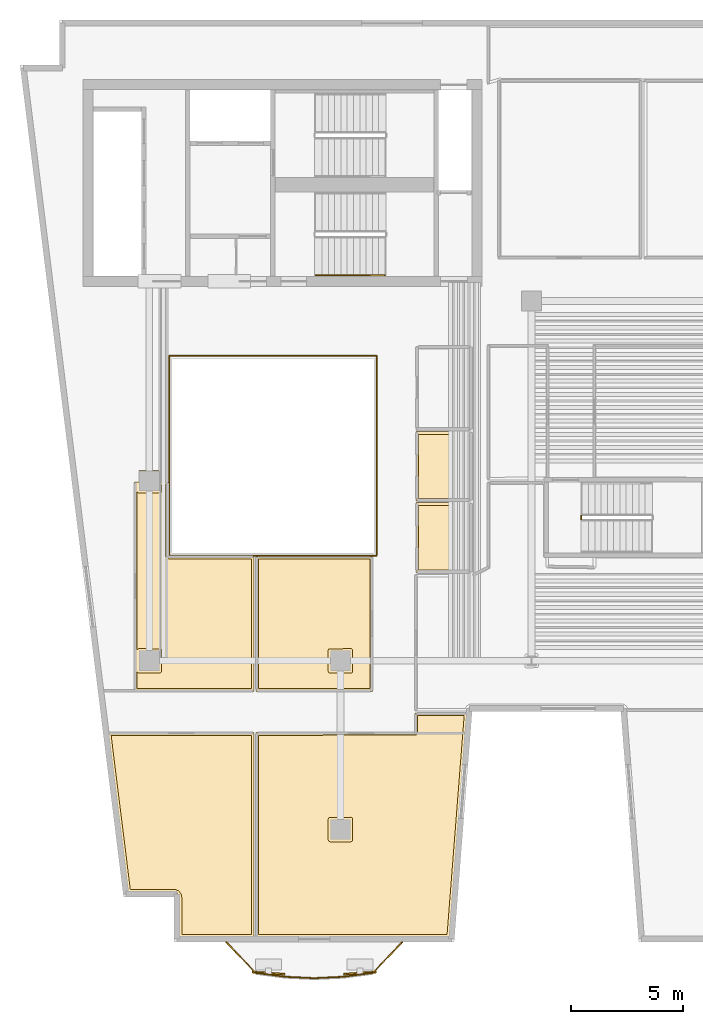
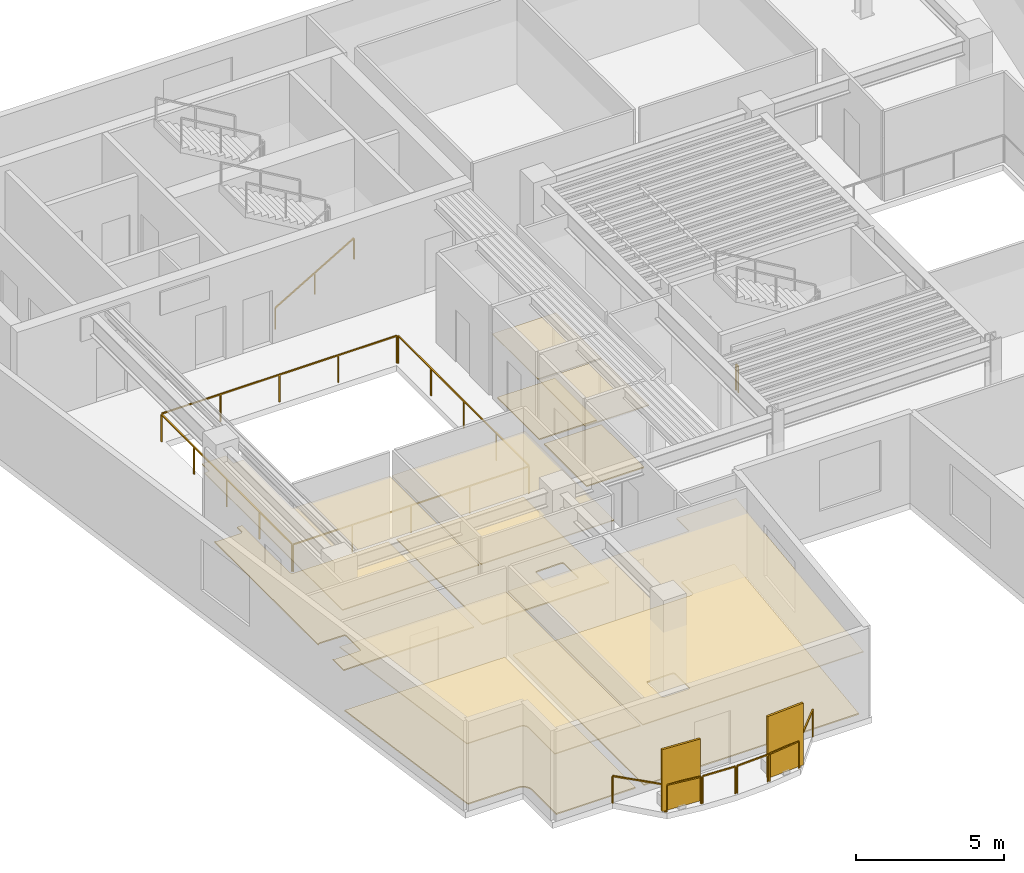
# One storey, part 7 of 9: 12 coverings, 12 railings, 2 shading devices.
"""IFC4 building model written with IfcOpenShell, lengths in metres."""

from ifc_helpers import new_model, si_unit, direction, frame, origin, origin_2d, place, context, subcontext, project, spatial, polyline, rectangle, outline, extrude, material, layer, layer_set, type_object, element, save


model = new_model("IFC4")

# Units and contexts
model_context = context("Model", 3, precision=1e-05, world=origin(), true_north=direction((0.0, 1.0)))
body_context = subcontext(model_context, "Body", "Model", "MODEL_VIEW")
ifc_project = project(units=[si_unit("LENGTHUNIT", "METRE"), si_unit("AREAUNIT", "SQUARE_METRE"), si_unit("VOLUMEUNIT", "CUBIC_METRE"), si_unit("PLANEANGLEUNIT", "RADIAN"), si_unit("MASSUNIT", "GRAM", prefix="KILO")], contexts=[model_context])

# Site, building, storey
site_placement = place(None, origin())
site = spatial("IfcSite", under=ifc_project, at=site_placement, CompositionType="ELEMENT")
building_placement = place(site_placement, origin())
building = spatial("IfcBuilding", under=site, at=building_placement, Name="Caeloran Harvest Quay", CompositionType="ELEMENT")
storey_placement = place(building_placement, frame((0.0, 0.0, 203.5)))
storey = spatial("IfcBuildingStorey", under=building, at=storey_placement, Name="L48", CompositionType="ELEMENT", Elevation=203.5)

# Coverings
ifc_material_1 = material(Name="Perforated Mineral-Fibre Acoustic Ceiling Tile", Category="ceiling")
ifc_layer_1 = layer(ifc_material_1, 0.0400390625, Name="Perforated Mineral-Fibre Acoustic Ceiling Tile")
ifc_layer_set_1 = layer_set([ifc_layer_1], Name="Perforated Mineral-Fibre Acoustic Ceiling Tile")
covering_type_1 = type_object("IfcCoveringType", Name="COV-CEILING-ACOUSTIC", PredefinedType="CEILING", material=ifc_layer_set_1)
covering_1_placement = place(storey_placement, frame((0.0, 0.0, 2.60009765625)))
element("IfcCovering", 1, at=covering_1_placement, inside=storey, type_object=covering_type_1, Name="L48 Female Washroom WC Acoustic Ceiling", PredefinedType="CEILING", context=body_context, shape_type="SweptSolid", body=[
    extrude(outline(polyline([(22.840087890625, 25.18994140625), (22.840087890625, 22.110107421875), (20.360107421875, 22.110107421875), (20.360107421875, 25.18994140625), (22.840087890625, 25.18994140625)])), origin(), (0.0, 0.0, 1.0), 0.039794921875),
])
covering_2_placement = place(storey_placement, frame((0.0, 0.0, 2.60009765625)))
element("IfcCovering", 2, at=covering_2_placement, inside=storey, type_object=covering_type_1, Name="L48 Accessible Unisex Washroom WC Acoustic Ceiling", PredefinedType="CEILING", context=body_context, shape_type="SweptSolid", body=[
    extrude(outline(polyline([(22.840087890625, 22.0400390625), (22.840087890625, 18.919921875), (20.360107421875, 18.919921875), (20.360107421875, 22.0400390625), (22.840087890625, 22.0400390625)])), origin(), (0.0, 0.0, 1.0), 0.039794921875),
])
covering_3_placement = place(storey_placement, frame((0.0, 0.0, 2.60009765625)))
element("IfcCovering", 3, at=covering_3_placement, inside=storey, type_object=covering_type_1, Name="Green-Bond Investment Office Acoustic Ceiling", PredefinedType="CEILING", context=body_context, shape_type="SweptSolid", body=[
    extrude(outline(polyline([(20.31005859375, 12.679931640625), (22.630859375, 12.679931640625), (21.853515625, 2.719970703125), (13.239990234375, 2.719970703125), (13.239990234375, 11.81005859375), (20.31005859375, 11.81005859375), (20.31005859375, 12.679931640625)])), origin(), (0.0, 0.0, 1.0), 0.039794921875),
])
covering_4_placement = place(storey_placement, frame((0.0, 0.0, 2.60009765625)))
element("IfcCovering", 4, at=covering_4_placement, inside=storey, type_object=covering_type_1, Name="ESG Carbon Desk Workspace Acoustic Ceiling", PredefinedType="CEILING", context=body_context, shape_type="SweptSolid", body=[
    extrude(outline(polyline([(9.80615234375, 4.584228515625), (9.742431640625, 4.669921875), (9.62451171875, 4.718994140625), (7.54833984375, 4.719970703125), (6.666015625, 11.81005859375), (13.159912109375, 11.81005859375), (13.159912109375, 2.719970703125), (9.822998046875, 2.719970703125), (9.822998046875, 4.4990234375), (9.80615234375, 4.584228515625)])), origin(), (0.0, 0.0, 1.0), 0.039794921875),
])
covering_5_placement = place(storey_placement, frame((0.0, 0.0, 2.60009765625)))
element("IfcCovering", 5, at=covering_5_placement, inside=storey, type_object=covering_type_1, Name="Executive Partner Office Acoustic Ceiling", PredefinedType="CEILING", context=body_context, shape_type="SweptSolid", body=[
    extrude(outline(polyline([(18.429931640625, 13.639892578125), (13.239990234375, 13.639892578125), (13.239990234375, 19.659912109375), (18.429931640625, 19.659912109375), (18.429931640625, 13.639892578125)])), origin(), (0.0, 0.0, 1.0), 0.039794921875),
])
covering_6_placement = place(storey_placement, frame((0.0, 0.0, 2.60009765625)))
element("IfcCovering", 6, at=covering_6_placement, inside=storey, type_object=covering_type_1, Name="Client Pitch Conference Room Acoustic Ceiling", PredefinedType="CEILING", context=body_context, shape_type="SweptSolid", body=[
    extrude(outline(polyline([(13.159912109375, 13.639892578125), (7.840087890625, 13.639892578125), (7.840087890625, 22.9599609375), (8.030029296875, 22.9599609375), (8.030029296875, 23.469970703125), (8.969970703125, 23.469970703125), (8.969970703125, 22.9599609375), (9.360107421875, 22.9599609375), (9.360107421875, 19.659912109375), (13.159912109375, 19.659912109375), (13.159912109375, 13.639892578125)])), origin(), (0.0, 0.0, 1.0), 0.039794921875),
])
ifc_material_2 = material(Name="Calcium-Sulphate Raised Access Floor and Terrazzo Finish", Category="flooring")
ifc_layer_2 = layer(ifc_material_2, 0.050048828125, Name="Calcium-Sulphate Raised Access Floor and Terrazzo Finish")
ifc_layer_set_2 = layer_set([ifc_layer_2], Name="Calcium-Sulphate Raised Access Floor and Terrazzo Finish")
covering_type_2 = type_object("IfcCoveringType", Name="COV-FLOOR-RAISED", PredefinedType="FLOORING", material=ifc_layer_set_2)
covering_7_placement = place(storey_placement, origin())
element("IfcCovering", 7, at=covering_7_placement, inside=storey, type_object=covering_type_2, Name="L48 Female Washroom WC Raised Finish Flooring", PredefinedType="FLOORING", context=body_context, shape_type="SweptSolid", body=[
    extrude(outline(polyline([(22.719970703125, 25.070068359375), (22.719970703125, 22.22998046875), (20.47998046875, 22.22998046875), (20.47998046875, 25.070068359375), (22.719970703125, 25.070068359375)])), origin(), (0.0, 0.0, 1.0), 0.050048828125),
])
covering_8_placement = place(storey_placement, origin())
element("IfcCovering", 8, at=covering_8_placement, inside=storey, type_object=covering_type_2, Name="L48 Accessible Unisex Washroom WC Raised Finish Flooring", PredefinedType="FLOORING", context=body_context, shape_type="SweptSolid", body=[
    extrude(outline(polyline([(22.719970703125, 21.919921875), (22.719970703125, 19.0400390625), (20.47998046875, 19.0400390625), (20.47998046875, 21.919921875), (22.719970703125, 21.919921875)])), origin(), (0.0, 0.0, 1.0), 0.050048828125),
])
covering_9_placement = place(storey_placement, origin())
element("IfcCovering", 9, at=covering_9_placement, inside=storey, type_object=covering_type_2, Name="Green-Bond Investment Office Raised Finish Flooring", PredefinedType="FLOORING", context=body_context, shape_type="SweptSolid", body=[
    extrude(outline(polyline([(20.34814453125, 11.693603515625), (20.402587890625, 11.727294921875), (20.4296875, 11.793212890625), (20.429931640625, 12.56005859375), (22.501220703125, 12.56005859375), (21.742431640625, 2.840087890625), (13.360107421875, 2.840087890625), (13.360107421875, 11.68994140625), (20.34814453125, 11.693603515625)]), holes=[polyline([(17.465087890625, 8.044921875), (16.484130859375, 8.02685546875), (16.455322265625, 7.972900390625), (16.455078125, 7.034912109375), (16.478515625, 6.978515625), (16.534912109375, 6.955078125), (17.465087890625, 6.955078125), (17.521484375, 6.978515625), (17.544921875, 7.034912109375), (17.544921875, 7.965087890625), (17.521484375, 8.021484375), (17.465087890625, 8.044921875)])]), origin(), (0.0, 0.0, 1.0), 0.050048828125),
])
covering_10_placement = place(storey_placement, origin())
element("IfcCovering", 10, at=covering_10_placement, inside=storey, type_object=covering_type_2, Name="ESG Carbon Desk Workspace Raised Finish Flooring", PredefinedType="FLOORING", context=body_context, shape_type="SweptSolid", body=[
    extrude(outline(polyline([(9.91845703125, 4.62646484375), (9.815673828125, 4.76513671875), (9.63232421875, 4.838623046875), (7.654296875, 4.840087890625), (6.8017578125, 11.68994140625), (13.0400390625, 11.68994140625), (13.0400390625, 2.840087890625), (9.943115234375, 2.840087890625), (9.943115234375, 4.5), (9.91845703125, 4.62646484375)])), origin(), (0.0, 0.0, 1.0), 0.050048828125),
])
covering_11_placement = place(storey_placement, origin())
element("IfcCovering", 11, at=covering_11_placement, inside=storey, type_object=covering_type_2, Name="Executive Partner Office Raised Finish Flooring", PredefinedType="FLOORING", context=body_context, shape_type="SweptSolid", body=[
    extrude(outline(polyline([(18.31005859375, 19.5400390625), (18.31005859375, 13.760009765625), (13.360107421875, 13.760009765625), (13.360107421875, 19.5400390625), (18.31005859375, 19.5400390625)]), holes=[polyline([(17.465087890625, 15.544921875), (16.484130859375, 15.52685546875), (16.455322265625, 15.472900390625), (16.455078125, 14.534912109375), (16.478515625, 14.478515625), (16.534912109375, 14.455078125), (17.465087890625, 14.455078125), (17.521484375, 14.478515625), (17.544921875, 14.534912109375), (17.544921875, 15.465087890625), (17.521484375, 15.521484375), (17.465087890625, 15.544921875)])]), origin(), (0.0, 0.0, 1.0), 0.050048828125),
])
covering_12_placement = place(storey_placement, origin())
element("IfcCovering", 12, at=covering_12_placement, inside=storey, type_object=covering_type_2, Name="Client Pitch Conference Room Raised Finish Flooring", PredefinedType="FLOORING", context=body_context, shape_type="SweptSolid", body=[
    extrude(outline(polyline([(7.9599609375, 14.50732421875), (8.027099609375, 14.455322265625), (8.965087890625, 14.455078125), (9.021484375, 14.478515625), (9.044921875, 14.534912109375), (9.044921875, 15.465087890625), (9.015869140625, 15.52685546875), (8.034912109375, 15.544921875), (7.9599609375, 15.49267578125), (7.9599609375, 22.50732421875), (8.034912109375, 22.455078125), (8.98828125, 22.45849609375), (9.04345703125, 22.519287109375), (9.044921875, 22.840087890625), (9.239990234375, 22.840087890625), (9.239990234375, 19.64990234375), (9.277099609375, 19.5673828125), (9.35009765625, 19.5400390625), (13.0400390625, 19.5400390625), (13.0400390625, 13.760009765625), (7.9599609375, 13.760009765625), (7.9599609375, 14.50732421875)])), origin(), (0.0, 0.0, 1.0), 0.050048828125),
])

# Railings
ifc_material_3 = material(Name="Powder-Coated Steel Post and Laminated Glass Guardrail", Category="steel")
ifc_layer_3 = layer(ifc_material_3, 0.06005859375, Name="Powder-Coated Steel Post and Laminated Glass Guardrail")
ifc_layer_set_3 = layer_set([ifc_layer_3], Name="Powder-Coated Steel Post and Laminated Glass Guardrail")
railing_type_1 = type_object("IfcRailingType", Name="GUARD-ATRIUM-1150", PredefinedType="GUARDRAIL", material=ifc_layer_set_3)
railing_1_placement = place(storey_placement, frame((9.412109375, 19.679931640625, 0.0)))
element("IfcRailing", 13, at=railing_1_placement, inside=storey, type_object=railing_type_1, Name="L48 Skylit Atrium Void Perimeter Guardrail Seg 1", PredefinedType="GUARDRAIL", context=body_context, shape_type="SweptSolid", body=[
    extrude(rectangle(XDim=0.048095703125, YDim=0.048095703125, at=origin_2d()), frame((0.0, 0.0, 1.1259765625), z_axis=(1.0, 0.0, 0.0), x_axis=(0.0, 1.0, 0.0)), (0.0, 0.0, 1.0), 9.17578125),
    extrude(rectangle(XDim=0.0419921875, YDim=0.0419921875, at=origin_2d()), origin(), (0.0, 0.0, 1.0), 1.101806640625),
    extrude(rectangle(XDim=0.0419921875, YDim=0.0419921875, at=origin_2d()), frame((2.2939453125, 0.0, 0.0)), (0.0, 0.0, 1.0), 1.101806640625),
    extrude(rectangle(XDim=0.0419921875, YDim=0.0419921875, at=origin_2d()), frame((4.587890625, 0.0, 0.0)), (0.0, 0.0, 1.0), 1.101806640625),
    extrude(rectangle(XDim=0.0419921875, YDim=0.0419921875, at=origin_2d()), frame((6.8818359375, 0.0, 0.0)), (0.0, 0.0, 1.0), 1.101806640625),
    extrude(rectangle(XDim=0.0419921875, YDim=0.0419921875, at=origin_2d()), frame((9.17578125, 0.0, 0.0)), (0.0, 0.0, 1.0), 1.101806640625),
])
railing_2_placement = place(storey_placement, frame((18.6201171875, 19.7119140625, 0.0)))
element("IfcRailing", 14, at=railing_2_placement, inside=storey, type_object=railing_type_1, Name="L48 Skylit Atrium Void Perimeter Guardrail Seg 2", PredefinedType="GUARDRAIL", context=body_context, shape_type="SweptSolid", body=[
    extrude(rectangle(XDim=0.048095703125, YDim=0.048095703125, at=origin_2d()), frame((0.0, 0.0, 1.1259765625), z_axis=(0.0, 1.0, 0.0), x_axis=(-1.0, 0.0, 0.0)), (0.0, 0.0, 1.0), 8.826171875),
    extrude(rectangle(XDim=0.0419921875, YDim=0.0419921875, at=origin_2d()), origin(), (0.0, 0.0, 1.0), 1.101806640625),
    extrude(rectangle(XDim=0.0419921875, YDim=0.0419921875, at=origin_2d()), frame((0.0, 2.20654296875, 0.0)), (0.0, 0.0, 1.0), 1.101806640625),
    extrude(rectangle(XDim=0.0419921875, YDim=0.0419921875, at=origin_2d()), frame((0.0, 4.4130859375, 0.0)), (0.0, 0.0, 1.0), 1.101806640625),
    extrude(rectangle(XDim=0.0419921875, YDim=0.0419921875, at=origin_2d()), frame((0.0, 6.61962890625, 0.0)), (0.0, 0.0, 1.0), 1.101806640625),
    extrude(rectangle(XDim=0.0419921875, YDim=0.0419921875, at=origin_2d()), frame((0.0, 8.826171875, 0.0)), (0.0, 0.0, 1.0), 1.101806640625),
])
railing_3_placement = place(storey_placement, frame((18.587890625, 28.570068359375, 0.0)))
element("IfcRailing", 15, at=railing_3_placement, inside=storey, type_object=railing_type_1, Name="L48 Skylit Atrium Void Perimeter Guardrail Seg 3", PredefinedType="GUARDRAIL", context=body_context, shape_type="SweptSolid", body=[
    extrude(rectangle(XDim=0.048095703125, YDim=0.048095703125, at=origin_2d()), frame((0.0, 0.0, 1.1259765625), z_axis=(-1.0, 0.0, 0.0), x_axis=(0.0, -1.0, 0.0)), (0.0, 0.0, 1.0), 9.17578125),
    extrude(rectangle(XDim=0.0419921875, YDim=0.0419921875, at=origin_2d()), origin(), (0.0, 0.0, 1.0), 1.101806640625),
    extrude(rectangle(XDim=0.0419921875, YDim=0.0419921875, at=origin_2d()), frame((-2.2939453125, 0.0, 0.0)), (0.0, 0.0, 1.0), 1.101806640625),
    extrude(rectangle(XDim=0.0419921875, YDim=0.0419921875, at=origin_2d()), frame((-4.587890625, 0.0, 0.0)), (0.0, 0.0, 1.0), 1.101806640625),
    extrude(rectangle(XDim=0.0419921875, YDim=0.0419921875, at=origin_2d()), frame((-6.8818359375, 0.0, 0.0)), (0.0, 0.0, 1.0), 1.101806640625),
    extrude(rectangle(XDim=0.0419921875, YDim=0.0419921875, at=origin_2d()), frame((-9.17578125, 0.0, 0.0)), (0.0, 0.0, 1.0), 1.101806640625),
])
railing_4_placement = place(storey_placement, frame((9.3798828125, 28.5380859375, 0.0)))
element("IfcRailing", 16, at=railing_4_placement, inside=storey, type_object=railing_type_1, Name="L48 Skylit Atrium Void Perimeter Guardrail Seg 4", PredefinedType="GUARDRAIL", context=body_context, shape_type="SweptSolid", body=[
    extrude(rectangle(XDim=0.048095703125, YDim=0.048095703125, at=origin_2d()), frame((0.0, 0.0, 1.1259765625), z_axis=(0.0, -1.0, 0.0), x_axis=(1.0, 0.0, 0.0)), (0.0, 0.0, 1.0), 8.826171875),
    extrude(rectangle(XDim=0.0419921875, YDim=0.0419921875, at=origin_2d()), origin(), (0.0, 0.0, 1.0), 1.101806640625),
    extrude(rectangle(XDim=0.0419921875, YDim=0.0419921875, at=origin_2d()), frame((0.0, -2.20654296875, 0.0)), (0.0, 0.0, 1.0), 1.101806640625),
    extrude(rectangle(XDim=0.0419921875, YDim=0.0419921875, at=origin_2d()), frame((0.0, -4.4130859375, 0.0)), (0.0, 0.0, 1.0), 1.101806640625),
    extrude(rectangle(XDim=0.0419921875, YDim=0.0419921875, at=origin_2d()), frame((0.0, -6.61962890625, 0.0)), (0.0, 0.0, 1.0), 1.101806640625),
    extrude(rectangle(XDim=0.0419921875, YDim=0.0419921875, at=origin_2d()), frame((0.0, -8.826171875, 0.0)), (0.0, 0.0, 1.0), 1.101806640625),
])
ifc_material_4 = material(Name="Laminated Safety Glass and Stainless Steel 316", Category="steel")
ifc_layer_4 = layer(ifc_material_4, 0.06005859375, Name="Laminated Safety Glass and Stainless Steel 316")
ifc_layer_set_4 = layer_set([ifc_layer_4], Name="Laminated Safety Glass and Stainless Steel 316")
railing_type_2 = type_object("IfcRailingType", Name="GUARD-BALUSTRADE-1150", PredefinedType="BALUSTRADE", material=ifc_layer_set_4)
railing_5_placement = place(storey_placement, frame((19.73974609375, 2.47998046875, 0.0)))
element("IfcRailing", 17, at=railing_5_placement, inside=storey, type_object=railing_type_2, Name="L48 Planted Balcony Perimeter Balustrade Guard Seg 1", PredefinedType="BALUSTRADE", context=body_context, shape_type="SweptSolid", body=[
    extrude(rectangle(XDim=0.048095703125, YDim=0.048095703125, at=origin_2d()), frame((0.0, 0.0, 1.1259765625), z_axis=(-0.692358565712, -0.721553613036, 0.0), x_axis=(0.721553613036, -0.692358565712, 0.0)), (0.0, 0.0, 1.0), 1.84814453125),
    extrude(rectangle(XDim=0.0419921875, YDim=0.0419921875, at=origin_2d()), origin(), (0.0, 0.0, 1.0), 1.101806640625),
    extrude(rectangle(XDim=0.0419921875, YDim=0.0419921875, at=origin_2d()), frame((-1.279541015625, -1.33349609375, 0.0)), (0.0, 0.0, 1.0), 1.101806640625),
])
railing_6_placement = place(storey_placement, frame((18.406494140625, 1.119140625, 0.0)))
element("IfcRailing", 18, at=railing_6_placement, inside=storey, type_object=railing_type_2, Name="L48 Planted Balcony Perimeter Balustrade Guard Seg 2", PredefinedType="BALUSTRADE", context=body_context, shape_type="SweptSolid", body=[
    extrude(rectangle(XDim=0.048095703125, YDim=0.048095703125, at=origin_2d()), frame((0.0, 0.0, 1.1259765625), z_axis=(-0.99126030156, -0.131920485716, 0.0), x_axis=(0.131920485716, -0.99126030156, 0.0)), (0.0, 0.0, 1.0), 1.249267578125),
    extrude(rectangle(XDim=0.0419921875, YDim=0.0419921875, at=origin_2d()), origin(), (0.0, 0.0, 1.0), 1.101806640625),
    extrude(rectangle(XDim=0.0419921875, YDim=0.0419921875, at=origin_2d()), frame((-1.23828125, -0.164794921875, 0.0)), (0.0, 0.0, 1.0), 1.101806640625),
])
railing_7_placement = place(storey_placement, frame((17.1044921875, 0.948486328125, 0.0)))
element("IfcRailing", 19, at=railing_7_placement, inside=storey, type_object=railing_type_2, Name="L48 Planted Balcony Perimeter Balustrade Guard Seg 3", PredefinedType="BALUSTRADE", context=body_context, shape_type="SweptSolid", body=[
    extrude(rectangle(XDim=0.048095703125, YDim=0.048095703125, at=origin_2d()), frame((0.0, 0.0, 1.1259765625), z_axis=(-0.99882494473, -0.048463695543, 0.0), x_axis=(0.048463695543, -0.99882494473, 0.0)), (0.0, 0.0, 1.0), 1.2392578125),
    extrude(rectangle(XDim=0.0419921875, YDim=0.0419921875, at=origin_2d()), origin(), (0.0, 0.0, 1.0), 1.101806640625),
    extrude(rectangle(XDim=0.0419921875, YDim=0.0419921875, at=origin_2d()), frame((-1.23779296875, -0.06005859375, 0.0)), (0.0, 0.0, 1.0), 1.101806640625),
])
railing_8_placement = place(storey_placement, frame((15.802734375, 0.888427734375, 0.0)))
element("IfcRailing", 20, at=railing_8_placement, inside=storey, type_object=railing_type_2, Name="L48 Planted Balcony Perimeter Balustrade Guard Seg 4", PredefinedType="BALUSTRADE", context=body_context, shape_type="SweptSolid", body=[
    extrude(rectangle(XDim=0.048095703125, YDim=0.048095703125, at=origin_2d()), frame((0.0, 0.0, 1.1259765625), z_axis=(-0.998824481877, 0.048473233881, 0.0), x_axis=(-0.048473233881, -0.998824481877, 0.0)), (0.0, 0.0, 1.0), 1.239013671875),
    extrude(rectangle(XDim=0.0419921875, YDim=0.0419921875, at=origin_2d()), origin(), (0.0, 0.0, 1.0), 1.101806640625),
    extrude(rectangle(XDim=0.0419921875, YDim=0.0419921875, at=origin_2d()), frame((-1.237548828125, 0.06005859375, 0.0)), (0.0, 0.0, 1.0), 1.101806640625),
])
railing_9_placement = place(storey_placement, frame((14.50146484375, 0.954345703125, 0.0)))
element("IfcRailing", 21, at=railing_9_placement, inside=storey, type_object=railing_type_2, Name="L48 Planted Balcony Perimeter Balustrade Guard Seg 5", PredefinedType="BALUSTRADE", context=body_context, shape_type="SweptSolid", body=[
    extrude(rectangle(XDim=0.048095703125, YDim=0.048095703125, at=origin_2d()), frame((0.0, 0.0, 1.1259765625), z_axis=(-0.99126030156, 0.131920485716, 0.0), x_axis=(-0.131920485716, -0.99126030156, 0.0)), (0.0, 0.0, 1.0), 1.249267578125),
    extrude(rectangle(XDim=0.0419921875, YDim=0.0419921875, at=origin_2d()), origin(), (0.0, 0.0, 1.0), 1.101806640625),
    extrude(rectangle(XDim=0.0419921875, YDim=0.0419921875, at=origin_2d()), frame((-1.23828125, 0.164794921875, 0.0)), (0.0, 0.0, 1.0), 1.101806640625),
])
railing_10_placement = place(storey_placement, frame((13.209228515625, 1.146484375, 0.0)))
element("IfcRailing", 22, at=railing_10_placement, inside=storey, type_object=railing_type_2, Name="L48 Planted Balcony Perimeter Balustrade Guard Seg 6", PredefinedType="BALUSTRADE", context=body_context, shape_type="SweptSolid", body=[
    extrude(rectangle(XDim=0.048095703125, YDim=0.048095703125, at=origin_2d()), frame((0.0, 0.0, 1.1259765625), z_axis=(-0.692358565712, 0.721553613036, 0.0), x_axis=(-0.721553613036, -0.692358565712, 0.0)), (0.0, 0.0, 1.0), 1.84814453125),
    extrude(rectangle(XDim=0.0419921875, YDim=0.0419921875, at=origin_2d()), origin(), (0.0, 0.0, 1.0), 1.101806640625),
    extrude(rectangle(XDim=0.0419921875, YDim=0.0419921875, at=origin_2d()), frame((-1.279541015625, 1.33349609375, 0.0)), (0.0, 0.0, 1.0), 1.101806640625),
])

# Shading devices
ifc_material_5 = material(Name="3003-H14 Perforated Powder-Coated Aluminium", Category="aluminium")
shading_device_type = type_object("IfcShadingDeviceType", Name="SHADE-SCREEN-FOLDED", PredefinedType="USERDEFINED", material=ifc_material_5)
for number, where, z_axis, x_axis, name in (
    (23, (17.865478515625, 1.111328125, 0.0751953125), (0.0, 0.0, 1.0), (0.997801468292, 0.0662739004, 0.0), "L48 Folded Facade Breathing Screen 1"),
    (24, (13.80419921875, 1.111328125, 0.0751953125), (0.0, 0.0, 1.0), (0.997801468292, -0.0662739004, 0.0), "L48 Folded Facade Breathing Screen 2"),
):
    element("IfcShadingDevice", number, at=place(storey_placement, frame(where, z_axis=z_axis, x_axis=x_axis)), inside=storey, type_object=shading_device_type, Name=name, ObjectType="SCREEN", PredefinedType="USERDEFINED", context=body_context, shape_type="SweptSolid", body=[
        extrude(rectangle(XDim=1.449951171875, YDim=0.080078125, at=origin_2d()), origin(), (0.0, 0.0, 1.0), 2.550048828125),
    ])

# Railings
ifc_material_6 = material(Name="Painted Steel Baluster and Top-Rail Stair Guard", Category="steel")
ifc_layer_5 = layer(ifc_material_6, 0.050048828125, Name="Painted Steel Baluster and Top-Rail Stair Guard")
ifc_layer_set_5 = layer_set([ifc_layer_5], Name="Painted Steel Baluster and Top-Rail Stair Guard")
railing_type_3 = type_object("IfcRailingType", Name="STAIR-GUARD-1100", PredefinedType="GUARDRAIL", material=ifc_layer_set_5)
railing_11_placement = place(storey_placement, frame((27.699951171875, 21.300048828125, 0.0)))
element("IfcRailing", 25, at=railing_11_placement, inside=storey, type_object=railing_type_3, Name="L48 ST-W1 stair guard 4", PredefinedType="GUARDRAIL", context=body_context, shape_type="SweptSolid", body=[
    extrude(rectangle(XDim=0.048095703125, YDim=0.048095703125, at=origin_2d()), frame((0.0, 0.0, 1.076171875), z_axis=(0.0, 1.0, 0.0), x_axis=(-1.0, 0.0, 0.0)), (0.0, 0.0, 1.0), 0.14990234375),
    extrude(rectangle(XDim=0.0419921875, YDim=0.0419921875, at=origin_2d()), origin(), (0.0, 0.0, 1.0), 1.052001953125),
    extrude(rectangle(XDim=0.0419921875, YDim=0.0419921875, at=origin_2d()), frame((0.0, 0.14990234375, 0.0)), (0.0, 0.0, 1.0), 1.052001953125),
])
ifc_material_7 = material(Name="Brushed Stainless Steel Grade 304", Category="steel")
ifc_layer_6 = layer(ifc_material_7, 0.050048828125, Name="Brushed Stainless Steel Grade 304")
ifc_layer_set_6 = layer_set([ifc_layer_6], Name="Brushed Stainless Steel Grade 304")
railing_type_4 = type_object("IfcRailingType", Name="STAIR-HANDRAIL-900", PredefinedType="HANDRAIL", material=ifc_layer_set_6)
railing_12_placement = place(storey_placement, frame((15.89990234375, 32.14990234375, 0.16455078125)))
element("IfcRailing", 26, at=railing_12_placement, inside=storey, type_object=railing_type_4, Name="L48 ST-C2 stair handrail 1", PredefinedType="HANDRAIL", context=body_context, shape_type="SweptSolid", body=[
    extrude(rectangle(XDim=0.048095703125, YDim=0.048095703125, at=origin_2d()), frame((0.0, 0.0, 0.8759765625), z_axis=(0.862088758681, 0.0, 0.506757310905), x_axis=(0.0, 1.0, 0.0)), (0.0, 0.0, 1.0), 3.57275390625),
    extrude(rectangle(XDim=0.0419921875, YDim=0.0419921875, at=origin_2d()), origin(), (0.0, 0.0, 1.0), 0.851806640625),
    extrude(rectangle(XDim=0.0419921875, YDim=0.0419921875, at=origin_2d()), frame((1.5400390625, 0.0, 0.9052734375)), (0.0, 0.0, 1.0), 0.851806640625),
    extrude(rectangle(XDim=0.0419921875, YDim=0.0419921875, at=origin_2d()), frame((3.080078125, 0.0, 1.810546875)), (0.0, 0.0, 1.0), 0.851806640625),
])

save(model, "model.ifc")
